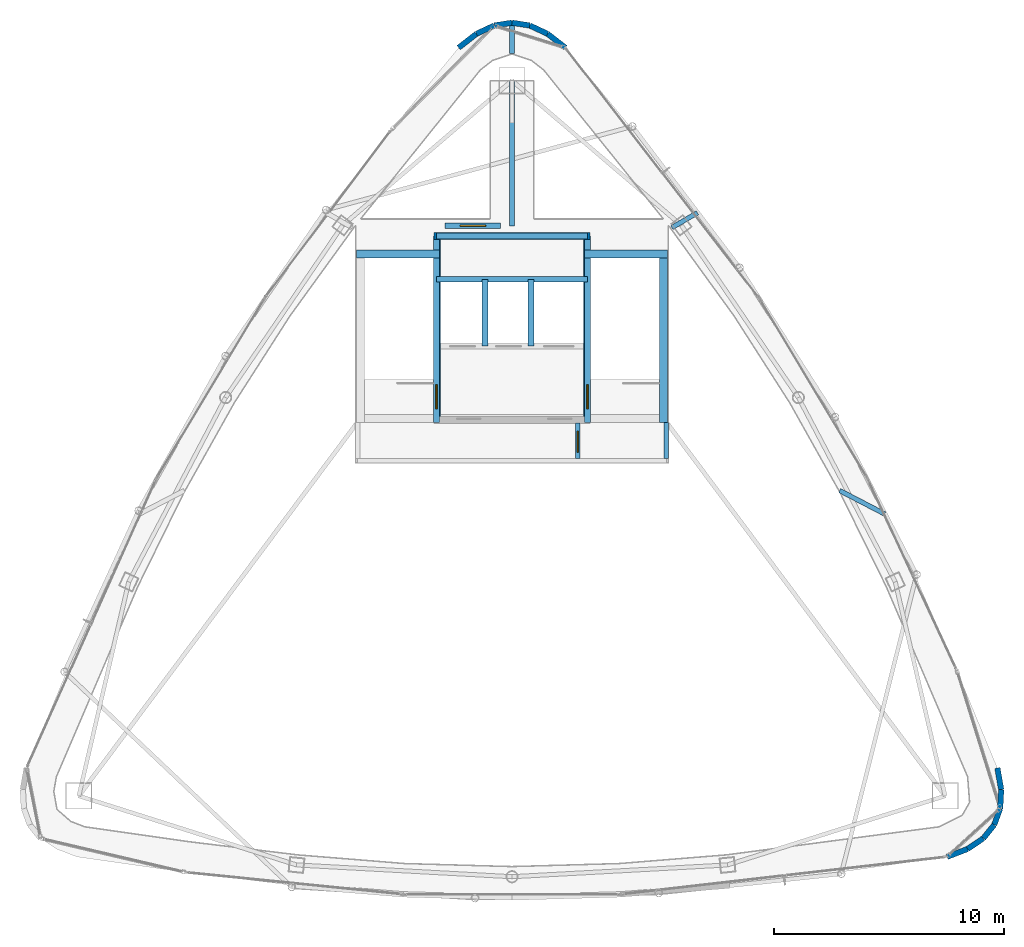
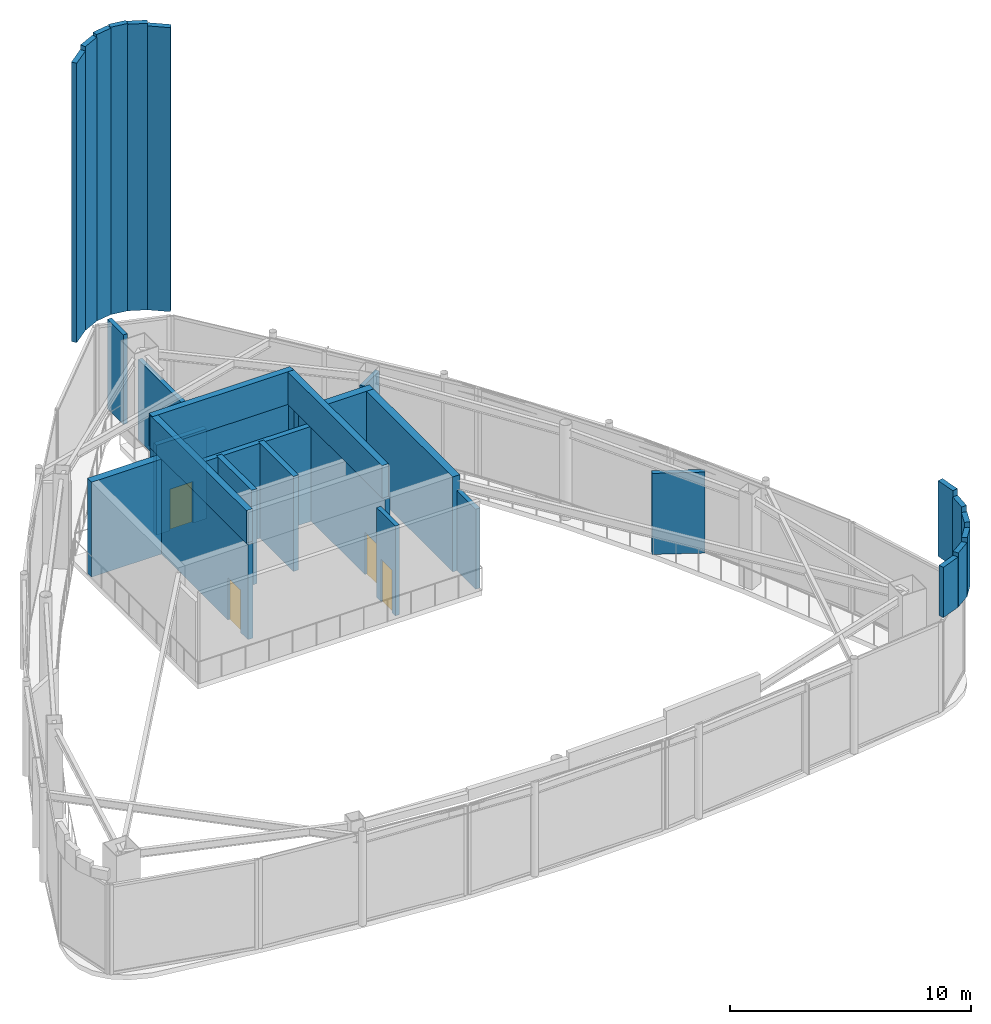
# One storey, part 16 of 18: 31 walls, 4 doors, 4 openings.
"""IFC4 building model written with IfcOpenShell, lengths in metres."""

import ifcopenshell
import ifcopenshell.guid

model = None  # the IFC model being written
_history = None  # IfcOwnerHistory: only IFC2X3 demands one
_inside = {}  # id of a spatial element -> (the spatial element, [elements in it])
_under = {}  # id of a project, library or spatial element -> (it, [spatial elements below it])
_declared = {}  # id of a project -> (the project, [libraries it declares])
_typed = {}  # id of a type object -> (the type object, [elements of that type])
_made_of = {}  # id of a material, layer set ... -> (it, [elements and type objects made of it])


def new_model(schema):
    """Start an empty IFC model of exactly this schema.

    Asked for "IFC4X3", IfcOpenShell would pick the latest addendum, in which some entities
    have other attributes; the version numbers below select the first issue.
    IFC2X3 requires an IfcOwnerHistory on every rooted entity: one is made here for all.
    """
    global model, _history
    if schema == "IFC4X3":
        model = ifcopenshell.file(schema_version=(4, 3, 0, 0))
    else:
        model = ifcopenshell.file(schema=schema)
    _inside.clear()
    _under.clear()
    _declared.clear()
    _typed.clear()
    _made_of.clear()
    _history = None
    if model.schema == "IFC2X3":
        org = make("IfcOrganization", Name="unknown")
        user = make(
            "IfcPersonAndOrganization",
            ThePerson=make("IfcPerson", FamilyName="unknown"),
            TheOrganization=org,
        )
        app = make(
            "IfcApplication",
            ApplicationDeveloper=org,
            Version="unknown",
            ApplicationFullName="unknown",
            ApplicationIdentifier="unknown",
        )
        _history = make(
            "IfcOwnerHistory",
            OwningUser=user,
            OwningApplication=app,
            ChangeAction="ADDED",
            CreationDate=0,
        )
    return model


def make(cls, **values):
    """One entity of the class cls with the attributes given. An attribute that is None is left unset."""
    return model.create_entity(
        cls, **{name: value for name, value in values.items() if value is not None}
    )


def rooted(cls, **values):
    """An entity with a GlobalId (a new one), such as an element, a storey or a relation."""
    return make(cls, GlobalId=ifcopenshell.guid.new(), OwnerHistory=_history, **values)


def si_unit(unit_type, name, prefix=None):
    """IfcSIUnit, for example si_unit("LENGTHUNIT", "METRE", prefix="MILLI")."""
    return make("IfcSIUnit", UnitType=unit_type, Prefix=prefix, Name=name)


def assignment(units):
    """IfcUnitAssignment: the units of a project."""
    return None if units is None else make("IfcUnitAssignment", Units=units)


def point(xyz):
    """IfcCartesianPoint."""
    return None if xyz is None else make("IfcCartesianPoint", Coordinates=xyz)


def direction(xyz):
    """IfcDirection."""
    return None if xyz is None else make("IfcDirection", DirectionRatios=xyz)


def frame(location, z_axis=None, x_axis=None):
    """IfcAxis2Placement3D, a coordinate frame: its origin and axes. An axis left out is left unset."""
    return make(
        "IfcAxis2Placement3D",
        Location=point(location),
        Axis=direction(z_axis),
        RefDirection=direction(x_axis),
    )


def frame_2d(location, x_axis=None):
    """IfcAxis2Placement2D, a coordinate frame in the plane: its origin and x axis."""
    return make(
        "IfcAxis2Placement2D", Location=point(location), RefDirection=direction(x_axis)
    )


def origin():
    """The frame at (0, 0, 0) with its axes left unset."""
    return frame((0.0, 0.0, 0.0))


def place(relative_to, where):
    """IfcLocalPlacement: puts the frame where relative to a parent placement (None: the world)."""
    return make(
        "IfcLocalPlacement", PlacementRelTo=relative_to, RelativePlacement=where
    )


def context(
    kind, dimensions, precision=None, world=None, true_north=None, identifier=None
):
    """IfcGeometricRepresentationContext, for example the 3D "Model" context."""
    return make(
        "IfcGeometricRepresentationContext",
        ContextIdentifier=identifier,
        ContextType=kind,
        CoordinateSpaceDimension=dimensions,
        Precision=precision,
        WorldCoordinateSystem=world,
        TrueNorth=true_north,
    )


def subcontext(parent, identifier, kind, view, scale=None):
    """IfcGeometricRepresentationSubContext, for example "Body" below "Model"."""
    return make(
        "IfcGeometricRepresentationSubContext",
        ContextIdentifier=identifier,
        ContextType=kind,
        ParentContext=parent,
        TargetScale=scale,
        TargetView=view,
    )


def project(units=None, contexts=None):
    """IfcProject with its units and contexts."""
    return rooted(
        "IfcProject",
        Name="project",
        RepresentationContexts=contexts,
        UnitsInContext=assignment(units),
    )


def spatial(cls, under=None, at=None, **own):
    """A site, building, storey or space (cls), placed at a placement, below another one or the project."""
    s = rooted(cls, ObjectPlacement=at, **own)
    if under is not None:
        _under.setdefault(under.id(), (under, []))[1].append(s)
    return s


def profile(cls, at=None, kind="AREA", **sizes):
    """A parametric profile (cls). Its sizes go by their IFC names, for example OverallWidth=200.0."""
    return make(cls, ProfileType=kind, Position=at, **sizes)


def rectangle(**sizes):
    """IfcRectangleProfileDef."""
    return profile("IfcRectangleProfileDef", **sizes)


def extrude(swept, where, along, depth):
    """IfcExtrudedAreaSolid: the profile swept, set in the frame where, extruded along a direction by depth."""
    return make(
        "IfcExtrudedAreaSolid",
        SweptArea=swept,
        Position=where,
        ExtrudedDirection=direction(along),
        Depth=depth,
    )


def shape(context_of_items, identifier, shape_type, items):
    """IfcShapeRepresentation: the items that make up one representation, for example the "Body"."""
    return make(
        "IfcShapeRepresentation",
        ContextOfItems=context_of_items,
        RepresentationIdentifier=identifier,
        RepresentationType=shape_type,
        Items=items,
    )


def material(Name=None, Category=None):
    """IfcMaterial."""
    return make("IfcMaterial", Name=Name, Category=Category)


def layer(
    of_material, thickness, ventilated=None, Name=None, Category=None, Priority=None
):
    """IfcMaterialLayer: one layer of a wall or slab, of a material (None: an air gap)."""
    return make(
        "IfcMaterialLayer",
        Material=of_material,
        LayerThickness=thickness,
        IsVentilated=ventilated,
        Name=Name,
        Category=Category,
        Priority=Priority,
    )


def layer_set(layers, Name=None):
    """IfcMaterialLayerSet."""
    return make("IfcMaterialLayerSet", MaterialLayers=layers, LayerSetName=Name)


def made_of(thing, what):
    """Note that an element or type object is made of a material, layer set ...; save() writes the relation."""
    if what is not None:
        _made_of.setdefault(what.id(), (what, []))[1].append(thing)
    return thing


def type_object(cls, material=None, **own):
    """A type object (cls), such as IfcWallType, which elements share."""
    return made_of(rooted(cls, **own), material)


def element(
    cls,
    number,
    at=None,
    inside=None,
    cuts=None,
    type_object=None,
    material=None,
    context=None,
    identifier="Body",
    shape_type=None,
    held_by="IfcProductDefinitionShape",
    body=None,
    shapes=None,
    **own,
):
    """One element of the class cls, such as IfcWall. Its Tag is "e" and its number.

    at: its placement. inside: the storey or other place that contains it. cuts: it is an
    opening in that element (IfcRelVoidsElement). A single representation is given by context,
    identifier, shape_type and body (its items); several are given by shapes. held_by: the class
    of the entity that holds the representations. save() writes the other relations.
    """
    e = rooted(cls, Tag="e%d" % number, ObjectPlacement=at, **own)
    if body is not None:
        shapes = [shape(context, identifier, shape_type, body)]
    if shapes is not None:
        e.Representation = make(held_by, Representations=shapes)
    if inside is not None:
        _inside.setdefault(inside.id(), (inside, []))[1].append(e)
    if cuts is not None:
        rooted(
            "IfcRelVoidsElement", RelatingBuildingElement=cuts, RelatedOpeningElement=e
        )
    if type_object is not None:
        _typed.setdefault(type_object.id(), (type_object, []))[1].append(e)
    return made_of(e, material)


def fill(opening, filler):
    """IfcRelFillsElement: the door or window that sits in an opening."""
    return rooted(
        "IfcRelFillsElement",
        RelatingOpeningElement=opening,
        RelatedBuildingElement=filler,
    )


def aggregate(whole, parts):
    """IfcRelAggregates: a whole, such as a stair, and the parts it consists of."""
    return rooted("IfcRelAggregates", RelatingObject=whole, RelatedObjects=parts)


def save(model, path):
    """Write the relations noted so far, then the file.

    IfcRelAggregates (storeys below a building ...), IfcRelContainedInSpatialStructure (elements
    in a storey), IfcRelDefinesByType, IfcRelAssociatesMaterial and IfcRelDeclares: one each for
    every whole, place, type object, material and project.
    """
    for whole, parts in _under.values():
        aggregate(whole, parts)
    for where, things in _inside.values():
        rooted(
            "IfcRelContainedInSpatialStructure",
            RelatedElements=things,
            RelatingStructure=where,
        )
    for kind, things in _typed.values():
        rooted("IfcRelDefinesByType", RelatedObjects=things, RelatingType=kind)
    for what, things in _made_of.values():
        rooted("IfcRelAssociatesMaterial", RelatedObjects=things, RelatingMaterial=what)
    for by, libraries in _declared.values():
        rooted("IfcRelDeclares", RelatingContext=by, RelatedDefinitions=libraries)
    model.write(path)


model = new_model("IFC4")

# Units and contexts
model_context = context("Model", 3, precision=1e-05, world=origin(), true_north=direction((0.0, 1.0)))
body_context = subcontext(model_context, "Body", "Model", "MODEL_VIEW")
ifc_project = project(units=[si_unit("LENGTHUNIT", "METRE"), si_unit("AREAUNIT", "SQUARE_METRE"), si_unit("VOLUMEUNIT", "CUBIC_METRE"), si_unit("PLANEANGLEUNIT", "RADIAN"), si_unit("MASSUNIT", "GRAM", prefix="KILO")], contexts=[model_context])

# Site, building, storey
site_placement = place(None, origin())
site = spatial("IfcSite", under=ifc_project, at=site_placement, CompositionType="ELEMENT")
building_placement = place(site_placement, origin())
building = spatial("IfcBuilding", under=site, at=building_placement, Name="Orvanel Arch Residences", CompositionType="ELEMENT")
storey_placement = place(building_placement, frame((0.0, 0.0, 310.10009765625)))
storey = spatial("IfcBuildingStorey", under=building, at=storey_placement, Name="L86", CompositionType="ELEMENT", Elevation=310.10009765625)

# Walls
ifc_material_1 = material(Name="Precast concrete N50 (50 MPa)", Category="concrete")
ifc_layer_1 = layer(ifc_material_1, 0.239990234375)
ifc_layer_set_1 = layer_set([ifc_layer_1], Name="Precast concrete N50 (50 MPa)")
wall_type_1 = type_object("IfcWallType", Name="EW-BAL-240", PredefinedType="SOLIDWALL", material=ifc_layer_set_1)
wall_1_placement = place(storey_placement, frame((35.31494140625, 42.827880859375, 4.7998046875), z_axis=(0.0, 0.0, 1.0), x_axis=(-0.789029632503, 0.614355140804, 0.0)))
element("IfcWall", 1, at=wall_1_placement, inside=storey, type_object=wall_type_1, Name="L86 Slanted Crown Eaves Parapet Wall 01", PredefinedType="SOLIDWALL", context=body_context, shape_type="SweptSolid", body=[
    extrude(rectangle(XDim=0.978271484375, YDim=0.239990234375, at=frame_2d((0.4892578125, 0.0))), origin(), (0.0, 0.0, 1.0), 14.362060546875),
])
wall_2_placement = place(storey_placement, frame((34.54296875, 43.428955078125, 4.7998046875), z_axis=(0.0, 0.0, 1.0), x_axis=(-0.906043827084, 0.423183864772, 0.0)))
element("IfcWall", 2, at=wall_2_placement, inside=storey, type_object=wall_type_1, Name="L86 Slanted Crown Eaves Parapet Wall 02", PredefinedType="SOLIDWALL", context=body_context, shape_type="SweptSolid", body=[
    extrude(rectangle(XDim=0.850830078125, YDim=0.239990234375, at=frame_2d((0.42529296875, 0.0))), origin(), (0.0, 0.0, 1.0), 14.4912109375),
])
wall_3_placement = place(storey_placement, frame((33.77197265625, 43.7890625, 4.7998046875), z_axis=(0.0, 0.0, 1.0), x_axis=(-0.988157569207, 0.153442557394, 0.0)))
element("IfcWall", 3, at=wall_3_placement, inside=storey, type_object=wall_type_1, Name="L86 Slanted Crown Eaves Parapet Wall 03", PredefinedType="SOLIDWALL", context=body_context, shape_type="SweptSolid", body=[
    extrude(rectangle(XDim=0.78125, YDim=0.239990234375, at=frame_2d((0.390625, 0.0))), origin(), (0.0, 0.0, 1.0), 14.533203125),
])
wall_4_placement = place(storey_placement, frame((33.0, 43.908935546875, 4.7998046875), z_axis=(0.0, 0.0, 1.0), x_axis=(-0.988157569207, -0.153442557394, 0.0)))
element("IfcWall", 4, at=wall_4_placement, inside=storey, type_object=wall_type_1, Name="L86 Slanted Crown Eaves Parapet Wall 04", PredefinedType="SOLIDWALL", context=body_context, shape_type="SweptSolid", body=[
    extrude(rectangle(XDim=0.78125, YDim=0.239990234375, at=frame_2d((0.390625, 0.0))), origin(), (0.0, 0.0, 1.0), 14.486083984375),
])
wall_5_placement = place(storey_placement, frame((32.22802734375, 43.7890625, 4.7998046875), z_axis=(0.0, 0.0, 1.0), x_axis=(-0.906043827084, -0.423183864772, 0.0)))
element("IfcWall", 5, at=wall_5_placement, inside=storey, type_object=wall_type_1, Name="L86 Slanted Crown Eaves Parapet Wall 05", PredefinedType="SOLIDWALL", context=body_context, shape_type="SweptSolid", body=[
    extrude(rectangle(XDim=0.850830078125, YDim=0.239990234375, at=frame_2d((0.42529296875, 0.0))), origin(), (0.0, 0.0, 1.0), 14.35205078125),
])
wall_6_placement = place(storey_placement, frame((31.45703125, 43.428955078125, 4.7998046875), z_axis=(0.0, 0.0, 1.0), x_axis=(-0.789029632503, -0.614355140804, 0.0)))
element("IfcWall", 6, at=wall_6_placement, inside=storey, type_object=wall_type_1, Name="L86 Slanted Crown Eaves Parapet Wall 06", PredefinedType="SOLIDWALL", context=body_context, shape_type="SweptSolid", body=[
    extrude(rectangle(XDim=0.978271484375, YDim=0.239990234375, at=frame_2d((0.4892578125, 0.0))), origin(), (0.0, 0.0, 1.0), 14.131103515625),
])
wall_7_placement = place(storey_placement, frame((51.883056640625, 7.7060546875, 4.7998046875), z_axis=(0.0, 0.0, 1.0), x_axis=(0.933640983461, 0.358210153403, 0.0)))
element("IfcWall", 7, at=wall_7_placement, inside=storey, type_object=wall_type_1, Name="L86 Slanted Crown Eaves Parapet Wall 29", PredefinedType="SOLIDWALL", context=body_context, shape_type="SweptSolid", body=[
    extrude(rectangle(XDim=0.95751953125, YDim=0.239990234375, at=frame_2d((0.478759765625, 0.0))), origin(), (0.0, 0.0, 1.0), 2.5400390625),
])
wall_8_placement = place(storey_placement, frame((52.777099609375, 8.049072265625, 4.7998046875), z_axis=(0.0, 0.0, 1.0), x_axis=(0.827372532394, 0.561653534343, 0.0)))
element("IfcWall", 8, at=wall_8_placement, inside=storey, type_object=wall_type_1, Name="L86 Slanted Crown Eaves Parapet Wall 30", PredefinedType="SOLIDWALL", context=body_context, shape_type="SweptSolid", body=[
    extrude(rectangle(XDim=0.82421875, YDim=0.239990234375, at=frame_2d((0.412109375, 0.0))), origin(), (0.0, 0.0, 1.0), 2.734130859375),
])
wall_9_placement = place(storey_placement, frame((53.458984375, 8.511962890625, 4.7998046875), z_axis=(0.0, 0.0, 1.0), x_axis=(0.627593126969, 0.778541499845, 0.0)))
element("IfcWall", 9, at=wall_9_placement, inside=storey, type_object=wall_type_1, Name="L86 Slanted Crown Eaves Parapet Wall 31", PredefinedType="SOLIDWALL", context=body_context, shape_type="SweptSolid", body=[
    extrude(rectangle(XDim=0.748779296875, YDim=0.239990234375, at=frame_2d((0.37451171875, 0.0))), origin(), (0.0, 0.0, 1.0), 2.960205078125),
])
wall_10_placement = place(storey_placement, frame((53.928955078125, 9.094970703125, 4.7998046875), z_axis=(0.0, 0.0, 1.0), x_axis=(0.345267991878, 0.938504136264, 0.0)))
element("IfcWall", 10, at=wall_10_placement, inside=storey, type_object=wall_type_1, Name="L86 Slanted Crown Eaves Parapet Wall 32", PredefinedType="SOLIDWALL", context=body_context, shape_type="SweptSolid", body=[
    extrude(rectangle(XDim=0.750244140625, YDim=0.239990234375, at=frame_2d((0.375, 0.0))), origin(), (0.0, 0.0, 1.0), 3.216064453125),
])
wall_11_placement = place(storey_placement, frame((54.18798828125, 9.799072265625, 4.7998046875), z_axis=(0.0, 0.0, 1.0), x_axis=(0.055683273447, 0.998448482926, 0.0)))
element("IfcWall", 11, at=wall_11_placement, inside=storey, type_object=wall_type_1, Name="L86 Slanted Crown Eaves Parapet Wall 33", PredefinedType="SOLIDWALL", context=body_context, shape_type="SweptSolid", body=[
    extrude(rectangle(XDim=0.82421875, YDim=0.239990234375, at=frame_2d((0.412109375, 0.0))), origin(), (0.0, 0.0, 1.0), 3.504150390625),
])
wall_12_placement = place(storey_placement, frame((54.23388671875, 10.6220703125, 4.7998046875), z_axis=(0.0, 0.0, 1.0), x_axis=(-0.173159725512, 0.984893755418, 0.0)))
element("IfcWall", 12, at=wall_12_placement, inside=storey, type_object=wall_type_1, Name="L86 Slanted Crown Eaves Parapet Wall 34", PredefinedType="SOLIDWALL", context=body_context, shape_type="SweptSolid", body=[
    extrude(rectangle(XDim=0.957275390625, YDim=0.239990234375, at=frame_2d((0.478515625, 0.0))), origin(), (0.0, 0.0, 1.0), 3.822998046875),
])

# Wall, opening, door
wall_13_placement = place(storey_placement, frame((30.10009765625, 35.10009765625, 0.0), z_axis=(0.0, 0.0, 1.0), x_axis=(1.0, 0.0, 0.0)))
wall_13 = element("IfcWall", 13, at=wall_13_placement, inside=storey, type_object=wall_type_1, Name="L86 Roof Maintenance Stair Bulkhead Wall", PredefinedType="SOLIDWALL", context=body_context, shape_type="SweptSolid", body=[
    extrude(rectangle(XDim=2.39990234375, YDim=0.239990234375, at=frame_2d((1.199951171875, 0.0))), origin(), (0.0, 0.0, 1.0), 4.539794921875),
])
opening_1_placement = place(wall_13_placement, frame((0.64990234375, 0.0, 0.0)))
opening_1 = element("IfcOpeningElement", 14, at=opening_1_placement, cuts=wall_13, Name="Opening RH-110", PredefinedType="OPENING", context=body_context, shape_type="SweptSolid", body=[
    extrude(rectangle(XDim=1.10009765625, YDim=2.10009765625, at=frame_2d((0.550048828125, 1.050048828125))), frame((0.0, 0.1298828125, 0.0), z_axis=(0.0, -1.0, 0.0), x_axis=(1.0, 0.0, 0.0)), (0.0, 0.0, 1.0), 0.260009765625),
])
ifc_material_2 = material(Name="Galvanised steel fire-resisting door assembly", Category="steel")
door_type_1 = type_object("IfcDoorType", Name="DR-HAT-1100", OperationType="NOTDEFINED", PredefinedType="TRAPDOOR", material=ifc_material_2)
door_1_placement = place(opening_1_placement, origin())
door_1 = element("IfcDoor", 15, at=door_1_placement, inside=storey, type_object=door_type_1, Name="DR-L86-BULK L86 Roof Maintenance Stair Bulkhead Door", OperationType="SINGLE_SWING_LEFT", OverallHeight=2.10009765625, OverallWidth=1.10009765625, PredefinedType="TRAPDOOR", context=body_context, shape_type="SweptSolid", body=[
    extrude(rectangle(XDim=1.10009765625, YDim=2.10009765625, at=frame_2d((0.550048828125, 1.050048828125))), frame((0.0, 0.02490234375, 0.0), z_axis=(0.0, -1.0, 0.0), x_axis=(1.0, 0.0, 0.0)), (0.0, 0.0, 1.0), 0.050048828125),
])
fill(opening_1, door_1)

ifc_material_3 = material(Name="Concrete N50 (50 MPa)", Category="concrete")
ifc_layer_2 = layer(ifc_material_3, 0.25)
ifc_layer_set_2 = layer_set([ifc_layer_2], Name="Concrete N50 (50 MPa)")
wall_type_2 = type_object("IfcWallType", Name="SW-CORE-250", PredefinedType="SHEAR", material=ifc_layer_set_2)
wall_14_placement = place(storey_placement, frame((29.72509765625, 26.550048828125, 0.0), z_axis=(0.0, 0.0, 1.0), x_axis=(0.0, 1.0, 0.0)))
wall_14 = element("IfcWall", 16, at=wall_14_placement, inside=storey, type_object=wall_type_2, Name="L86 West Inner Core Spine Shear Wall", PredefinedType="SHEAR", context=body_context, shape_type="SweptSolid", body=[
    extrude(rectangle(XDim=8.099853515625, YDim=0.25, at=frame_2d((4.0498046875, 0.0))), origin(), (0.0, 0.0, 1.0), 4.7998046875),
])
opening_2_placement = place(wall_14_placement, frame((0.60009765625, 0.0, 0.0)))
opening_2 = element("IfcOpeningElement", 17, at=opening_2_placement, cuts=wall_14, Name="Opening DF-120", PredefinedType="OPENING", context=body_context, shape_type="SweptSolid", body=[
    extrude(rectangle(XDim=1.050048828125, YDim=2.14990234375, at=frame_2d((0.52490234375, 1.074951171875))), frame((0.0, 0.135009765625, 0.0), z_axis=(0.0, -1.0, 0.0), x_axis=(1.0, 0.0, 0.0)), (0.0, 0.0, 1.0), 0.27001953125),
])
door_type_2 = type_object("IfcDoorType", Name="DR-FD120-1050", OperationType="NOTDEFINED", PredefinedType="DOOR", material=ifc_material_2)
door_2_placement = place(opening_2_placement, origin())
door_2 = element("IfcDoor", 18, at=door_2_placement, inside=storey, type_object=door_type_2, Name="DR-L86-ST1 L86 Stair 1 Fire Door", OperationType="SINGLE_SWING_LEFT", OverallHeight=2.14990234375, OverallWidth=1.050048828125, PredefinedType="DOOR", context=body_context, shape_type="SweptSolid", body=[
    extrude(rectangle(XDim=1.050048828125, YDim=2.14990234375, at=frame_2d((0.52490234375, 1.074951171875))), frame((0.0, 0.02490234375, 0.0), z_axis=(0.0, -1.0, 0.0), x_axis=(1.0, 0.0, 0.0)), (0.0, 0.0, 1.0), 0.050048828125),
])
fill(opening_2, door_2)

wall_15_placement = place(storey_placement, frame((36.27490234375, 26.550048828125, 0.0), z_axis=(0.0, 0.0, 1.0), x_axis=(0.0, 1.0, 0.0)))
wall_15 = element("IfcWall", 19, at=wall_15_placement, inside=storey, type_object=wall_type_2, Name="L86 East Inner Core Spine Shear Wall", PredefinedType="SHEAR", context=body_context, shape_type="SweptSolid", body=[
    extrude(rectangle(XDim=8.099853515625, YDim=0.25, at=frame_2d((4.0498046875, 0.0))), origin(), (0.0, 0.0, 1.0), 4.7998046875),
])
opening_3_placement = place(wall_15_placement, frame((0.60009765625, 0.0, 0.0)))
opening_3 = element("IfcOpeningElement", 20, at=opening_3_placement, cuts=wall_15, Name="Opening DF-120", PredefinedType="OPENING", context=body_context, shape_type="SweptSolid", body=[
    extrude(rectangle(XDim=1.050048828125, YDim=2.14990234375, at=frame_2d((0.52490234375, 1.074951171875))), frame((0.0, 0.135009765625, 0.0), z_axis=(0.0, -1.0, 0.0), x_axis=(1.0, 0.0, 0.0)), (0.0, 0.0, 1.0), 0.27001953125),
])
door_3_placement = place(opening_3_placement, origin())
door_3 = element("IfcDoor", 21, at=door_3_placement, inside=storey, type_object=door_type_2, Name="DR-L86-ST2 L86 Stair 2 Fire Door", OperationType="SINGLE_SWING_RIGHT", OverallHeight=2.14990234375, OverallWidth=1.050048828125, PredefinedType="DOOR", context=body_context, shape_type="SweptSolid", body=[
    extrude(rectangle(XDim=1.050048828125, YDim=2.14990234375, at=frame_2d((0.52490234375, 1.074951171875))), frame((0.0, 0.02490234375, 0.0), z_axis=(0.0, -1.0, 0.0), x_axis=(1.0, 0.0, 0.0)), (0.0, 0.0, 1.0), 0.050048828125),
])
fill(opening_3, door_3)

# Walls
wall_16_placement = place(storey_placement, frame((29.72509765625, 32.77490234375, 0.0), z_axis=(0.0, 0.0, 1.0), x_axis=(1.0, 0.0, 0.0)))
element("IfcWall", 22, at=wall_16_placement, inside=storey, type_object=wall_type_2, Name="L86 Emergency Lift Back Core Shear Wall", PredefinedType="SHEAR", context=body_context, shape_type="SweptSolid", body=[
    extrude(rectangle(XDim=6.5498046875, YDim=0.25, at=frame_2d((3.27490234375, 0.0))), origin(), (0.0, 0.0, 1.0), 4.7998046875),
])
for number, where, z_axis, x_axis, name in (
    (23, (31.824951171875, 29.875, 0.0), (0.0, 0.0, 1.0), (0.0, 1.0, 0.0), "L86 Emergency Lift Inter-Shaft Wall F12"),
    (24, (33.824951171875, 29.875, 0.0), (0.0, 0.0, 1.0), (0.0, 1.0, 0.0), "L86 Emergency Lift Inter-Shaft Wall F2G"),
):
    element("IfcWall", number, at=place(storey_placement, frame(where, z_axis=z_axis, x_axis=x_axis)), inside=storey, type_object=wall_type_2, Name=name, PredefinedType="SHEAR", context=body_context, shape_type="SweptSolid", body=[
        extrude(rectangle(XDim=2.89990234375, YDim=0.25, at=frame_2d((1.449951171875, 0.0))), origin(), (0.0, 0.0, 1.0), 4.7998046875),
    ])
wall_17_placement = place(storey_placement, frame((29.72509765625, 34.64990234375, 0.0), z_axis=(0.0, 0.0, 1.0), x_axis=(1.0, 0.0, 0.0)))
element("IfcWall", 25, at=wall_17_placement, inside=storey, type_object=wall_type_2, Name="L86 Core Service Band North Shear Wall", PredefinedType="SHEAR", context=body_context, shape_type="SweptSolid", body=[
    extrude(rectangle(XDim=6.5498046875, YDim=0.25, at=frame_2d((3.27490234375, 0.0))), origin(), (0.0, 0.0, 1.0), 4.7998046875),
])
ifc_layer_3 = layer(ifc_material_3, 0.35009765625)
ifc_layer_set_3 = layer_set([ifc_layer_3], Name="Concrete N50 (50 MPa)")
wall_type_3 = type_object("IfcWallType", Name="SW-CORE-350", PredefinedType="SHEAR", material=ifc_layer_set_3)
wall_18_placement = place(storey_placement, frame((26.25, 33.875, 0.0), z_axis=(0.0, 0.0, 1.0), x_axis=(1.0, 0.0, 0.0)))
element("IfcWall", 26, at=wall_18_placement, inside=storey, type_object=wall_type_3, Name="L86 West Stair North Shear Wall", PredefinedType="SHEAR", context=body_context, shape_type="SweptSolid", body=[
    extrude(rectangle(XDim=3.60009765625, YDim=0.35009765625, at=frame_2d((1.800048828125, 0.0))), origin(), (0.0, 0.0, 1.0), 4.7998046875),
])
wall_19_placement = place(storey_placement, frame((39.574951171875, 26.550048828125, 0.0), z_axis=(0.0, 0.0, 1.0), x_axis=(0.0, 1.0, 0.0)))
element("IfcWall", 27, at=wall_19_placement, inside=storey, type_object=wall_type_3, Name="L86 East Stair Shear Wall", PredefinedType="SHEAR", context=body_context, shape_type="SweptSolid", body=[
    extrude(rectangle(XDim=7.5, YDim=0.35009765625, at=frame_2d((3.75, 0.0))), origin(), (0.0, 0.0, 1.0), 4.7998046875),
])
wall_20_placement = place(storey_placement, frame((36.14990234375, 33.875, 0.0), z_axis=(0.0, 0.0, 1.0), x_axis=(1.0, 0.0, 0.0)))
element("IfcWall", 28, at=wall_20_placement, inside=storey, type_object=wall_type_3, Name="L86 East Stair North Shear Wall", PredefinedType="SHEAR", context=body_context, shape_type="SweptSolid", body=[
    extrude(rectangle(XDim=3.60009765625, YDim=0.35009765625, at=frame_2d((1.800048828125, 0.0))), origin(), (0.0, 0.0, 1.0), 4.7998046875),
])
ifc_layer_4 = layer(ifc_material_3, 0.300048828125)
ifc_layer_set_4 = layer_set([ifc_layer_4], Name="Concrete N50 (50 MPa)")
wall_type_4 = type_object("IfcWallType", Name="SW-HEAD-300", PredefinedType="SHEAR", material=ifc_layer_set_4)
for number, where, z_axis, x_axis, name in (
    (29, (29.75, 26.675048828125, 4.7998046875), (0.0, 0.0, 1.0), (0.0, 1.0, 0.0), "L86 Skylight Lantern Core Curb Wall CWALL-RF-LAN-W"),
    (30, (36.25, 26.675048828125, 4.7998046875), (0.0, 0.0, 1.0), (0.0, 1.0, 0.0), "L86 Skylight Lantern Core Curb Wall CWALL-RF-LAN-E"),
):
    element("IfcWall", number, at=place(storey_placement, frame(where, z_axis=z_axis, x_axis=x_axis)), inside=storey, type_object=wall_type_4, Name=name, PredefinedType="SHEAR", context=body_context, shape_type="SweptSolid", body=[
        extrude(rectangle(XDim=7.974853515625, YDim=0.300048828125, at=frame_2d((3.9873046875, 0.0))), origin(), (0.0, 0.0, 1.0), 1.650146484375),
    ])
wall_21_placement = place(storey_placement, frame((29.625, 34.64990234375, 4.7998046875), z_axis=(0.0, 0.0, 1.0), x_axis=(1.0, 0.0, 0.0)))
element("IfcWall", 31, at=wall_21_placement, inside=storey, type_object=wall_type_4, Name="L86 Skylight Lantern Core Curb Wall CWALL-RF-LAN-N", PredefinedType="SHEAR", context=body_context, shape_type="SweptSolid", body=[
    extrude(rectangle(XDim=6.75, YDim=0.300048828125, at=frame_2d((3.375, 0.0))), origin(), (0.0, 0.0, 1.0), 1.650146484375),
])
ifc_material_4 = material(Name="Fire-rated plasterboard lined steel stud partition", Category="steel")
ifc_layer_5 = layer(ifc_material_4, 0.199951171875)
ifc_layer_set_5 = layer_set([ifc_layer_5], Name="Fire-rated plasterboard lined steel stud partition")
wall_type_5 = type_object("IfcWallType", Name="W-PLT-200", PredefinedType="PARTITIONING", material=ifc_layer_set_5)
wall_22_placement = place(storey_placement, frame((39.699951171875, 24.985107421875, 0.0), z_axis=(0.0, 0.0, 1.0), x_axis=(0.0, 1.0, 0.0)))
element("IfcWall", 32, at=wall_22_placement, inside=storey, type_object=wall_type_5, Name="L86 Crown Plant Apron East Wall", PredefinedType="PARTITIONING", context=body_context, shape_type="SweptSolid", body=[
    extrude(rectangle(XDim=1.56494140625, YDim=0.199951171875, at=frame_2d((0.782470703125, 0.0))), origin(), (0.0, 0.0, 1.0), 4.044921875),
])

# Wall, opening, door
wall_23_placement = place(storey_placement, frame((35.85009765625, 24.985107421875, 0.0), z_axis=(0.0, 0.0, 1.0), x_axis=(0.0, 1.0, 0.0)))
wall_23 = element("IfcWall", 33, at=wall_23_placement, inside=storey, type_object=wall_type_5, Name="L86 Crown Heat-Recovery Plant Wall", PredefinedType="PARTITIONING", context=body_context, shape_type="SweptSolid", body=[
    extrude(rectangle(XDim=1.554931640625, YDim=0.199951171875, at=frame_2d((0.77734375, 0.0))), origin(), (0.0, 0.0, 1.0), 4.539794921875),
])
opening_4_placement = place(wall_23_placement, frame((0.278076171875, 0.0, 0.0)))
opening_4 = element("IfcOpeningElement", 34, at=opening_4_placement, cuts=wall_23, Name="Opening DA-092", PredefinedType="OPENING", context=body_context, shape_type="SweptSolid", body=[
    extrude(rectangle(XDim=0.919921875, YDim=2.14990234375, at=frame_2d((0.4599609375, 1.074951171875))), frame((0.0, 0.10986328125, 0.0), z_axis=(0.0, -1.0, 0.0), x_axis=(1.0, 0.0, 0.0)), (0.0, 0.0, 1.0), 0.219970703125),
])
ifc_material_5 = material(Name="Solid-core European oak veneer fire door leaf", Category="wood")
door_type_3 = type_object("IfcDoorType", Name="DR-APT-920", OperationType="NOTDEFINED", PredefinedType="DOOR", material=ifc_material_5)
door_4_placement = place(opening_4_placement, origin())
door_4 = element("IfcDoor", 35, at=door_4_placement, inside=storey, type_object=door_type_3, Name="DR-L86-CRNE2 L86 Crown Winter Garden Mechanical Plant Door", OperationType="SINGLE_SWING_RIGHT", OverallHeight=2.14990234375, OverallWidth=0.919921875, PredefinedType="DOOR", context=body_context, shape_type="SweptSolid", body=[
    extrude(rectangle(XDim=0.919921875, YDim=2.14990234375, at=frame_2d((0.4599609375, 1.074951171875))), frame((0.0, 0.02490234375, 0.0), z_axis=(0.0, -1.0, 0.0), x_axis=(1.0, 0.0, 0.0)), (0.0, 0.0, 1.0), 0.050048828125),
])
fill(opening_4, door_4)

# Walls
wall_24_placement = place(storey_placement, frame((33.0, 35.089111328125, 0.0), z_axis=(0.0, 0.0, 1.0), x_axis=(0.0, 1.0, 0.0)))
element("IfcWall", 36, at=wall_24_placement, inside=storey, type_object=wall_type_5, Name="L86 Crown Catwalk Smoke Baffle Wall 1", PredefinedType="PARTITIONING", context=body_context, shape_type="SweptSolid", body=[
    extrude(rectangle(XDim=6.269775390625, YDim=0.199951171875, at=frame_2d((3.134765625, 0.0))), origin(), (0.0, 0.0, 1.0), 4.044921875),
])
wall_25_placement = place(storey_placement, frame((33.0, 42.58203125, 0.0), z_axis=(0.0, 0.0, 1.0), x_axis=(0.0, 1.0, 0.0)))
element("IfcWall", 37, at=wall_25_placement, inside=storey, type_object=wall_type_5, Name="L86 Crown Catwalk Smoke Baffle Wall 1", PredefinedType="PARTITIONING", context=body_context, shape_type="SweptSolid", body=[
    extrude(rectangle(XDim=1.31201171875, YDim=0.199951171875, at=frame_2d((0.656005859375, 0.0))), origin(), (0.0, 0.0, 1.0), 4.539794921875),
])
wall_26_placement = place(storey_placement, frame((47.220947265625, 23.60498046875, 0.0), z_axis=(0.0, 0.0, 1.0), x_axis=(0.887140685261, -0.461499084024, 0.0)))
element("IfcWall", 38, at=wall_26_placement, inside=storey, type_object=wall_type_5, Name="L86 Crown Catwalk Smoke Baffle Wall 3", PredefinedType="PARTITIONING", context=body_context, shape_type="SweptSolid", body=[
    extrude(rectangle(XDim=2.2060546875, YDim=0.199951171875, at=frame_2d((1.10302734375, 0.0))), origin(), (0.0, 0.0, 1.0), 4.098876953125),
])
wall_27_placement = place(storey_placement, frame((39.93896484375, 35.01708984375, 0.0), z_axis=(0.0, 0.0, 1.0), x_axis=(0.865191492793, 0.501441602581, 0.0)))
element("IfcWall", 39, at=wall_27_placement, inside=storey, type_object=wall_type_5, Name="L86 Crown Catwalk Smoke Baffle Wall 5", PredefinedType="PARTITIONING", context=body_context, shape_type="SweptSolid", body=[
    extrude(rectangle(XDim=1.281982421875, YDim=0.199951171875, at=frame_2d((0.64111328125, 0.0))), origin(), (0.0, 0.0, 1.0), 4.098876953125),
])

save(model, "model.ifc")
